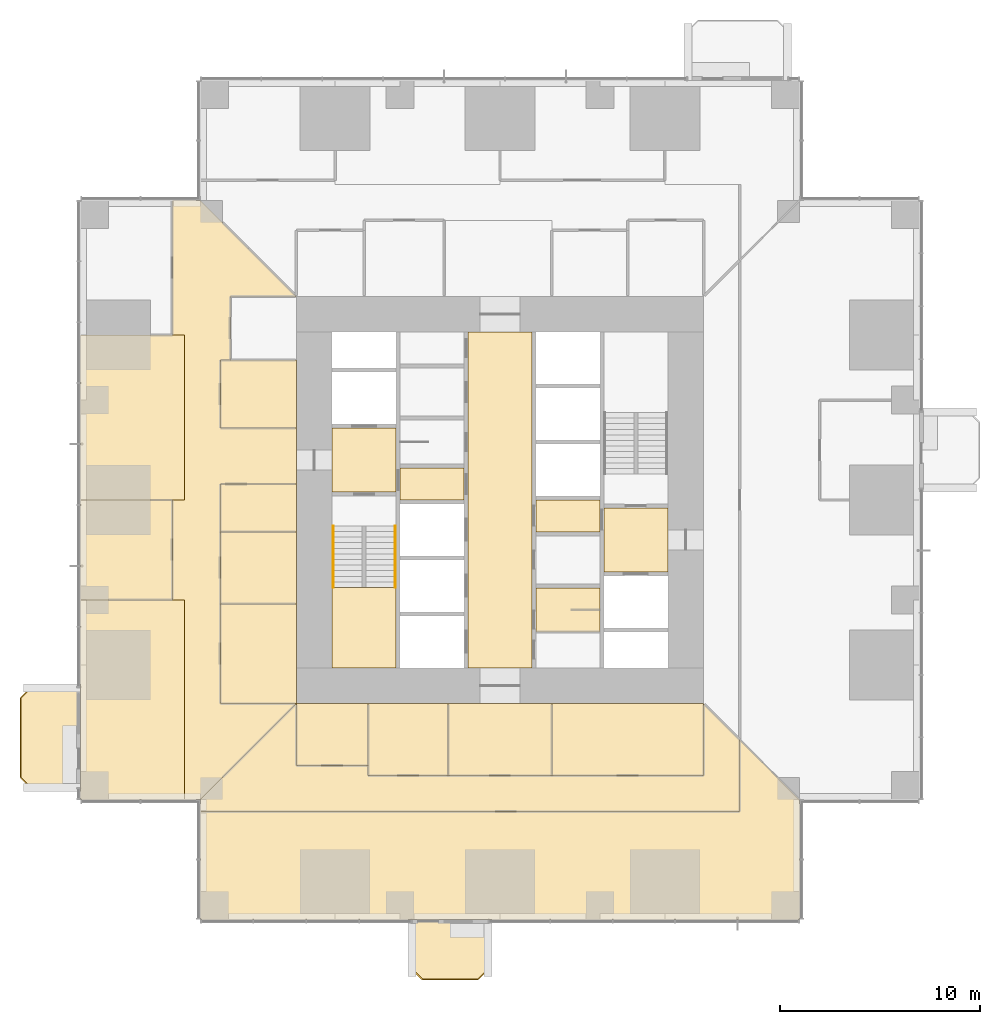
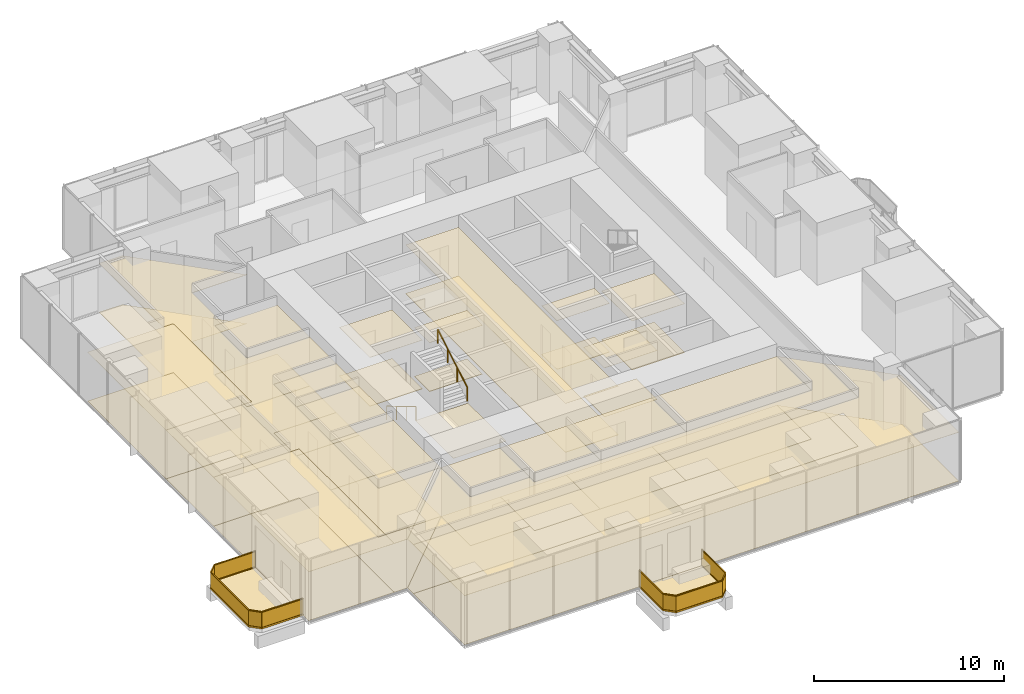
# One storey, part 15 of 17: 43 coverings, 4 railings.
"""IFC4 building model written with IfcOpenShell, lengths in metres."""

from ifc_helpers import new_model, si_unit, direction, frame, origin, origin_2d, place, context, subcontext, project, spatial, polyline, rectangle, circle, outline, extrude, material, layer, layer_set, type_object, element, save


model = new_model("IFC4")

# Units and contexts
model_context = context("Model", 3, precision=1e-05, world=origin(), true_north=direction((0.0, 1.0)))
body_context = subcontext(model_context, "Body", "Model", "MODEL_VIEW")
ifc_project = project(units=[si_unit("LENGTHUNIT", "METRE"), si_unit("AREAUNIT", "SQUARE_METRE"), si_unit("VOLUMEUNIT", "CUBIC_METRE"), si_unit("PLANEANGLEUNIT", "RADIAN"), si_unit("MASSUNIT", "GRAM", prefix="KILO")], contexts=[model_context])

# Site, building, storey
site_placement = place(None, origin())
site = spatial("IfcSite", under=ifc_project, at=site_placement, CompositionType="ELEMENT")
building_placement = place(site_placement, origin())
building = spatial("IfcBuilding", under=site, at=building_placement, Name="Svetlomir Tower", CompositionType="ELEMENT")
storey_placement = place(building_placement, frame((0.0, 0.0, 38.5)))
storey = spatial("IfcBuildingStorey", under=building, at=storey_placement, Name="L08", CompositionType="ELEMENT", Elevation=38.5)

# Railings
ifc_material_1 = material(Name="Bronze anodised aluminium and laminated glass", Category="aluminium")
railing_type_1 = type_object("IfcRailingType", Name="BALCONY GUARD GR1 1100", PredefinedType="GUARDRAIL", material=ifc_material_1)
railing_1_placement = place(storey_placement, frame((16.60009765625, 0.0, 0.0)))
element("IfcRailing", 1, at=railing_1_placement, inside=storey, type_object=railing_type_1, Name="Balcony guard S L08", PredefinedType="GUARDRAIL", context=body_context, shape_type="SweptSolid", body=[
    extrude(rectangle(XDim=0.06005859375, YDim=0.10009765625, at=origin_2d()), frame((0.0, 0.0, 0.050048828125), z_axis=(0.0, -1.0, 0.0), x_axis=(1.0, 0.0, 0.0)), (0.0, 0.0, 1.0), 2.5),
    extrude(rectangle(XDim=0.021484375, YDim=0.960205078125, at=origin_2d()), frame((0.0, 0.0, 0.580078125), z_axis=(0.0, -1.0, 0.0), x_axis=(1.0, 0.0, 0.0)), (0.0, 0.0, 1.0), 2.5),
    extrude(rectangle(XDim=0.06005859375, YDim=0.0400390625, at=origin_2d()), frame((0.0, 0.0, 1.080078125), z_axis=(0.0, -1.0, 0.0), x_axis=(1.0, 0.0, 0.0)), (0.0, 0.0, 1.0), 2.5),
    extrude(rectangle(XDim=0.06005859375, YDim=0.10009765625, at=origin_2d()), frame((0.0, -2.5, 0.050048828125), z_axis=(0.707106781187, -0.707106781187, 0.0), x_axis=(0.707106781187, 0.707106781187, 0.0)), (0.0, 0.0, 1.0), 0.70703125),
    extrude(rectangle(XDim=0.021484375, YDim=0.960205078125, at=origin_2d()), frame((0.0, -2.5, 0.580078125), z_axis=(0.707106781187, -0.707106781187, 0.0), x_axis=(0.707106781187, 0.707106781187, 0.0)), (0.0, 0.0, 1.0), 0.70703125),
    extrude(rectangle(XDim=0.06005859375, YDim=0.0400390625, at=origin_2d()), frame((0.0, -2.5, 1.080078125), z_axis=(0.707106781187, -0.707106781187, 0.0), x_axis=(0.707106781187, 0.707106781187, 0.0)), (0.0, 0.0, 1.0), 0.70703125),
    extrude(rectangle(XDim=0.06005859375, YDim=0.10009765625, at=origin_2d()), frame((0.5, -3.0, 0.050048828125), z_axis=(1.0, 0.0, 0.0), x_axis=(0.0, 1.0, 0.0)), (0.0, 0.0, 1.0), 2.7998046875),
    extrude(rectangle(XDim=0.021484375, YDim=0.960205078125, at=origin_2d()), frame((0.5, -3.0, 0.580078125), z_axis=(1.0, 0.0, 0.0), x_axis=(0.0, 1.0, 0.0)), (0.0, 0.0, 1.0), 2.7998046875),
    extrude(rectangle(XDim=0.06005859375, YDim=0.0400390625, at=origin_2d()), frame((0.5, -3.0, 1.080078125), z_axis=(1.0, 0.0, 0.0), x_axis=(0.0, 1.0, 0.0)), (0.0, 0.0, 1.0), 2.7998046875),
    extrude(rectangle(XDim=0.06005859375, YDim=0.10009765625, at=origin_2d()), frame((3.2998046875, -3.0, 0.050048828125), z_axis=(0.707106781187, 0.707106781187, 0.0), x_axis=(-0.707106781187, 0.707106781187, 0.0)), (0.0, 0.0, 1.0), 0.70703125),
    extrude(rectangle(XDim=0.021484375, YDim=0.960205078125, at=origin_2d()), frame((3.2998046875, -3.0, 0.580078125), z_axis=(0.707106781187, 0.707106781187, 0.0), x_axis=(-0.707106781187, 0.707106781187, 0.0)), (0.0, 0.0, 1.0), 0.70703125),
    extrude(rectangle(XDim=0.06005859375, YDim=0.0400390625, at=origin_2d()), frame((3.2998046875, -3.0, 1.080078125), z_axis=(0.707106781187, 0.707106781187, 0.0), x_axis=(-0.707106781187, 0.707106781187, 0.0)), (0.0, 0.0, 1.0), 0.70703125),
    extrude(rectangle(XDim=0.06005859375, YDim=0.10009765625, at=origin_2d()), frame((3.7998046875, -2.5, 0.050048828125), z_axis=(0.0, 1.0, 0.0), x_axis=(-1.0, 0.0, 0.0)), (0.0, 0.0, 1.0), 2.5),
    extrude(rectangle(XDim=0.021484375, YDim=0.960205078125, at=origin_2d()), frame((3.7998046875, -2.5, 0.580078125), z_axis=(0.0, 1.0, 0.0), x_axis=(-1.0, 0.0, 0.0)), (0.0, 0.0, 1.0), 2.5),
    extrude(rectangle(XDim=0.06005859375, YDim=0.0400390625, at=origin_2d()), frame((3.7998046875, -2.5, 1.080078125), z_axis=(0.0, 1.0, 0.0), x_axis=(-1.0, 0.0, 0.0)), (0.0, 0.0, 1.0), 2.5),
])
railing_2_placement = place(storey_placement, frame((0.0, 11.60009765625, 0.0)))
element("IfcRailing", 2, at=railing_2_placement, inside=storey, type_object=railing_type_1, Name="Balcony guard W L08", PredefinedType="GUARDRAIL", context=body_context, shape_type="SweptSolid", body=[
    extrude(rectangle(XDim=0.06005859375, YDim=0.10009765625, at=origin_2d()), frame((0.0, 0.0, 0.050048828125), z_axis=(-1.0, 0.0, 0.0), x_axis=(0.0, -1.0, 0.0)), (0.0, 0.0, 1.0), 2.5),
    extrude(rectangle(XDim=0.021484375, YDim=0.960205078125, at=origin_2d()), frame((0.0, 0.0, 0.580078125), z_axis=(-1.0, 0.0, 0.0), x_axis=(0.0, -1.0, 0.0)), (0.0, 0.0, 1.0), 2.5),
    extrude(rectangle(XDim=0.06005859375, YDim=0.0400390625, at=origin_2d()), frame((0.0, 0.0, 1.080078125), z_axis=(-1.0, 0.0, 0.0), x_axis=(0.0, -1.0, 0.0)), (0.0, 0.0, 1.0), 2.5),
    extrude(rectangle(XDim=0.06005859375, YDim=0.10009765625, at=origin_2d()), frame((-2.5, 0.0, 0.050048828125), z_axis=(-0.707106781187, -0.707106781187, 0.0), x_axis=(0.707106781187, -0.707106781187, 0.0)), (0.0, 0.0, 1.0), 0.70703125),
    extrude(rectangle(XDim=0.021484375, YDim=0.960205078125, at=origin_2d()), frame((-2.5, 0.0, 0.580078125), z_axis=(-0.707106781187, -0.707106781187, 0.0), x_axis=(0.707106781187, -0.707106781187, 0.0)), (0.0, 0.0, 1.0), 0.70703125),
    extrude(rectangle(XDim=0.06005859375, YDim=0.0400390625, at=origin_2d()), frame((-2.5, 0.0, 1.080078125), z_axis=(-0.707106781187, -0.707106781187, 0.0), x_axis=(0.707106781187, -0.707106781187, 0.0)), (0.0, 0.0, 1.0), 0.70703125),
    extrude(rectangle(XDim=0.06005859375, YDim=0.10009765625, at=origin_2d()), frame((-3.0, -0.5, 0.050048828125), z_axis=(0.0, -1.0, 0.0), x_axis=(1.0, 0.0, 0.0)), (0.0, 0.0, 1.0), 4.0),
    extrude(rectangle(XDim=0.021484375, YDim=0.960205078125, at=origin_2d()), frame((-3.0, -0.5, 0.580078125), z_axis=(0.0, -1.0, 0.0), x_axis=(1.0, 0.0, 0.0)), (0.0, 0.0, 1.0), 4.0),
    extrude(rectangle(XDim=0.06005859375, YDim=0.0400390625, at=origin_2d()), frame((-3.0, -0.5, 1.080078125), z_axis=(0.0, -1.0, 0.0), x_axis=(1.0, 0.0, 0.0)), (0.0, 0.0, 1.0), 4.0),
    extrude(rectangle(XDim=0.06005859375, YDim=0.10009765625, at=origin_2d()), frame((-3.0, -4.5, 0.050048828125), z_axis=(0.707106781187, -0.707106781187, 0.0), x_axis=(0.707106781187, 0.707106781187, 0.0)), (0.0, 0.0, 1.0), 0.70703125),
    extrude(rectangle(XDim=0.021484375, YDim=0.960205078125, at=origin_2d()), frame((-3.0, -4.5, 0.580078125), z_axis=(0.707106781187, -0.707106781187, 0.0), x_axis=(0.707106781187, 0.707106781187, 0.0)), (0.0, 0.0, 1.0), 0.70703125),
    extrude(rectangle(XDim=0.06005859375, YDim=0.0400390625, at=origin_2d()), frame((-3.0, -4.5, 1.080078125), z_axis=(0.707106781187, -0.707106781187, 0.0), x_axis=(0.707106781187, 0.707106781187, 0.0)), (0.0, 0.0, 1.0), 0.70703125),
    extrude(rectangle(XDim=0.06005859375, YDim=0.10009765625, at=origin_2d()), frame((-2.5, -5.0, 0.050048828125), z_axis=(1.0, 0.0, 0.0), x_axis=(0.0, 1.0, 0.0)), (0.0, 0.0, 1.0), 2.5),
    extrude(rectangle(XDim=0.021484375, YDim=0.960205078125, at=origin_2d()), frame((-2.5, -5.0, 0.580078125), z_axis=(1.0, 0.0, 0.0), x_axis=(0.0, 1.0, 0.0)), (0.0, 0.0, 1.0), 2.5),
    extrude(rectangle(XDim=0.06005859375, YDim=0.0400390625, at=origin_2d()), frame((-2.5, -5.0, 1.080078125), z_axis=(1.0, 0.0, 0.0), x_axis=(0.0, 1.0, 0.0)), (0.0, 0.0, 1.0), 2.5),
])

# Coverings
ifc_material_2 = material(Name="Granite paving slabs on pedestals", Category="masonry")
ifc_layer_1 = layer(ifc_material_2, 0.0400390625)
ifc_layer_set_1 = layer_set([ifc_layer_1], Name="Granite paving slabs on pedestals")
covering_type_1 = type_object("IfcCoveringType", Name="BALCONY PAVING 40", PredefinedType="USERDEFINED", material=ifc_layer_set_1)
covering_1_placement = place(storey_placement, origin())
element("IfcCovering", 3, at=covering_1_placement, inside=storey, type_object=covering_type_1, Name="Balcony paving S L08", ObjectType="BALCONY PAVING", PredefinedType="USERDEFINED", context=body_context, shape_type="SweptSolid", body=[
    extrude(outline(polyline([(16.60009765625, -2.5), (17.10009765625, -3.0), (19.89990234375, -3.0), (20.39990234375, -2.5), (20.39990234375, 0.0), (16.60009765625, 0.0), (16.60009765625, -2.5)])), origin(), (0.0, 0.0, 1.0), 0.0400390625),
])
covering_2_placement = place(storey_placement, origin())
element("IfcCovering", 4, at=covering_2_placement, inside=storey, type_object=covering_type_1, Name="Balcony paving W L08", ObjectType="BALCONY PAVING", PredefinedType="USERDEFINED", context=body_context, shape_type="SweptSolid", body=[
    extrude(outline(polyline([(-2.5, 6.60009765625), (0.0, 6.60009765625), (0.0, 11.60009765625), (-2.5, 11.60009765625), (-3.0, 11.10009765625), (-3.0, 7.10009765625), (-2.5, 6.60009765625)])), origin(), (0.0, 0.0, 1.0), 0.0400390625),
])
ifc_material_3 = material(Name="Carpet tile", Category="textile")
ifc_layer_2 = layer(ifc_material_3, 0.010009765625)
ifc_layer_set_2 = layer_set([ifc_layer_2], Name="Carpet tile")
covering_type_2 = type_object("IfcCoveringType", Name="CARPET TILE FLOOR 10", PredefinedType="FLOORING", material=ifc_layer_set_2)
covering_3_placement = place(storey_placement, origin())
element("IfcCovering", 5, at=covering_3_placement, inside=storey, type_object=covering_type_2, Name="Floor finish L08-14", PredefinedType="FLOORING", context=body_context, shape_type="SweptSolid", body=[
    extrude(outline(polyline([(10.800048828125, 7.699951171875), (14.39990234375, 7.699951171875), (14.39990234375, 10.800048828125), (10.800048828125, 10.800048828125), (10.800048828125, 7.699951171875)])), origin(), (0.0, 0.0, 1.0), 0.010009765625),
])
covering_4_placement = place(storey_placement, origin())
element("IfcCovering", 6, at=covering_4_placement, inside=storey, type_object=covering_type_2, Name="Floor finish L08-15", PredefinedType="FLOORING", context=body_context, shape_type="SweptSolid", body=[
    extrude(outline(polyline([(14.39990234375, 7.199951171875), (18.39990234375, 7.199951171875), (18.39990234375, 10.800048828125), (14.39990234375, 10.800048828125), (14.39990234375, 7.199951171875)])), origin(), (0.0, 0.0, 1.0), 0.010009765625),
])
covering_5_placement = place(storey_placement, origin())
element("IfcCovering", 7, at=covering_5_placement, inside=storey, type_object=covering_type_2, Name="Floor finish L08-16", PredefinedType="FLOORING", context=body_context, shape_type="SweptSolid", body=[
    extrude(outline(polyline([(23.60009765625, 7.199951171875), (31.199951171875, 7.199951171875), (31.199951171875, 10.800048828125), (23.60009765625, 10.800048828125), (23.60009765625, 7.199951171875)])), origin(), (0.0, 0.0, 1.0), 0.010009765625),
])
covering_6_placement = place(storey_placement, origin())
element("IfcCovering", 8, at=covering_6_placement, inside=storey, type_object=covering_type_2, Name="Floor finish L08-24", PredefinedType="FLOORING", context=body_context, shape_type="SweptSolid", body=[
    extrude(outline(polyline([(7.0, 10.800048828125), (10.800048828125, 10.800048828125), (10.800048828125, 15.800048828125), (7.0, 15.800048828125), (7.0, 10.800048828125)])), origin(), (0.0, 0.0, 1.0), 0.010009765625),
])
covering_7_placement = place(storey_placement, origin())
element("IfcCovering", 9, at=covering_7_placement, inside=storey, type_object=covering_type_2, Name="Floor finish L08-25", PredefinedType="FLOORING", context=body_context, shape_type="SweptSolid", body=[
    extrude(outline(polyline([(7.0, 15.800048828125), (10.800048828125, 15.800048828125), (10.800048828125, 19.39990234375), (7.0, 19.39990234375), (7.0, 15.800048828125)])), origin(), (0.0, 0.0, 1.0), 0.010009765625),
])
covering_8_placement = place(storey_placement, origin())
element("IfcCovering", 10, at=covering_8_placement, inside=storey, type_object=covering_type_2, Name="Floor finish L08-26", PredefinedType="FLOORING", context=body_context, shape_type="SweptSolid", body=[
    extrude(outline(polyline([(7.0, 24.60009765625), (10.800048828125, 24.60009765625), (10.800048828125, 28.0), (7.0, 28.0), (7.0, 24.60009765625)])), origin(), (0.0, 0.0, 1.0), 0.010009765625),
])
covering_9_placement = place(storey_placement, origin())
element("IfcCovering", 11, at=covering_9_placement, inside=storey, type_object=covering_type_2, Name="Floor finish L08-28", PredefinedType="FLOORING", context=body_context, shape_type="SweptSolid", body=[
    extrude(outline(polyline([(0.0, 16.0), (4.60009765625, 16.0), (4.60009765625, 21.0), (0.0, 21.0), (0.0, 16.0)])), origin(), (0.0, 0.0, 1.0), 0.010009765625),
])
covering_10_placement = place(storey_placement, origin())
element("IfcCovering", 12, at=covering_10_placement, inside=storey, type_object=covering_type_2, Name="Floor finish L08-30", PredefinedType="FLOORING", context=body_context, shape_type="SweptSolid", body=[
    extrude(outline(polyline([(33.0, 5.39990234375), (6.0, 5.39990234375), (6.0, 6.0), (10.800048828125, 10.800048828125), (10.800048828125, 7.699951171875), (14.39990234375, 7.699951171875), (14.39990234375, 7.199951171875), (31.199951171875, 7.199951171875), (31.199951171875, 10.800048828125), (33.0, 9.0), (33.0, 5.39990234375)])), origin(), (0.0, 0.0, 1.0), 0.010009765625),
])
covering_11_placement = place(storey_placement, origin())
element("IfcCovering", 13, at=covering_11_placement, inside=storey, type_object=covering_type_2, Name="Floor finish L08-33", PredefinedType="FLOORING", context=body_context, shape_type="SweptSolid", body=[
    extrude(outline(polyline([(5.199951171875, 21.0), (5.199951171875, 29.25), (4.60009765625, 29.25), (4.60009765625, 36.0), (6.0, 36.0), (10.800048828125, 31.199951171875), (7.5, 31.199951171875), (7.5, 28.0), (7.0, 28.0), (7.0, 24.60009765625), (10.800048828125, 24.60009765625), (10.800048828125, 21.800048828125), (7.0, 21.800048828125), (7.0, 10.800048828125), (10.800048828125, 10.800048828125), (6.0, 6.0), (5.199951171875, 6.0), (5.199951171875, 16.0), (4.60009765625, 16.0), (4.60009765625, 21.0), (5.199951171875, 21.0)])), origin(), (0.0, 0.0, 1.0), 0.010009765625),
])
covering_12_placement = place(storey_placement, origin())
element("IfcCovering", 14, at=covering_12_placement, inside=storey, type_object=covering_type_2, Name="Floor finish L08-34", PredefinedType="FLOORING", context=body_context, shape_type="SweptSolid", body=[
    extrude(outline(polyline([(36.0, 0.0), (6.0, 0.0), (6.0, 5.39990234375), (33.0, 5.39990234375), (33.0, 9.0), (36.0, 6.0), (36.0, 0.0)])), origin(), (0.0, 0.0, 1.0), 0.010009765625),
])
covering_13_placement = place(storey_placement, origin())
element("IfcCovering", 15, at=covering_13_placement, inside=storey, type_object=covering_type_2, Name="Floor finish L08-35", PredefinedType="FLOORING", context=body_context, shape_type="SweptSolid", body=[
    extrude(outline(polyline([(23.60009765625, 10.800048828125), (23.60009765625, 7.199951171875), (18.39990234375, 7.199951171875), (18.39990234375, 10.800048828125), (23.60009765625, 10.800048828125)])), origin(), (0.0, 0.0, 1.0), 0.010009765625),
])
covering_14_placement = place(storey_placement, origin())
element("IfcCovering", 16, at=covering_14_placement, inside=storey, type_object=covering_type_2, Name="Floor finish L08-40", PredefinedType="FLOORING", context=body_context, shape_type="SweptSolid", body=[
    extrude(outline(polyline([(0.0, 16.0), (5.199951171875, 16.0), (5.199951171875, 6.0), (0.0, 6.0), (0.0, 16.0)])), origin(), (0.0, 0.0, 1.0), 0.010009765625),
])
covering_15_placement = place(storey_placement, origin())
element("IfcCovering", 17, at=covering_15_placement, inside=storey, type_object=covering_type_2, Name="Floor finish L08-41", PredefinedType="FLOORING", context=body_context, shape_type="SweptSolid", body=[
    extrude(outline(polyline([(0.0, 29.25), (5.199951171875, 29.25), (5.199951171875, 21.0), (0.0, 21.0), (0.0, 29.25)])), origin(), (0.0, 0.0, 1.0), 0.010009765625),
])
covering_16_placement = place(storey_placement, origin())
element("IfcCovering", 18, at=covering_16_placement, inside=storey, type_object=covering_type_2, Name="Floor finish L08-42", PredefinedType="FLOORING", context=body_context, shape_type="SweptSolid", body=[
    extrude(outline(polyline([(7.0, 19.39990234375), (7.0, 21.800048828125), (10.800048828125, 21.800048828125), (10.800048828125, 19.39990234375), (7.0, 19.39990234375)])), origin(), (0.0, 0.0, 1.0), 0.010009765625),
])
ifc_material_4 = material(Name="Ceramic floor tile", Category="ceramic")
ifc_layer_3 = layer(ifc_material_4, 0.014892578125)
ifc_layer_set_3 = layer_set([ifc_layer_3], Name="Ceramic floor tile")
covering_type_3 = type_object("IfcCoveringType", Name="CERAMIC TILE FLOOR 15", PredefinedType="FLOORING", material=ifc_layer_set_3)
covering_17_placement = place(storey_placement, origin())
element("IfcCovering", 19, at=covering_17_placement, inside=storey, type_object=covering_type_3, Name="Floor finish L08-09", PredefinedType="FLOORING", context=body_context, shape_type="SweptSolid", body=[
    extrude(outline(polyline([(22.800048828125, 14.39990234375), (26.0, 14.39990234375), (26.0, 16.60009765625), (22.800048828125, 16.60009765625), (22.800048828125, 14.39990234375)])), origin(), (0.0, 0.0, 1.0), 0.014892578125),
])

# Railings
ifc_material_5 = material(Name="Stainless steel", Category="steel")
railing_type_2 = type_object("IfcRailingType", Name="HANDRAIL HR1 900", PredefinedType="HANDRAIL", material=ifc_material_5)
railing_3_placement = place(storey_placement, frame((12.64990234375, 19.699951171875, 0.166748046875)))
element("IfcRailing", 20, at=railing_3_placement, inside=storey, type_object=railing_type_2, Name="Handrail S1 flight 1 L08", PredefinedType="HANDRAIL", context=body_context, shape_type="SweptSolid", body=[
    extrude(circle(Radius=0.02392578125, at=origin_2d()), frame((0.0, 0.0, 0.8759765625), z_axis=(0.0, -0.859290745958, 0.51148745235), x_axis=(1.0, 0.0, 0.0)), (0.0, 0.0, 1.0), 3.584228515625),
    extrude(circle(Radius=0.02099609375, at=origin_2d()), origin(), (0.0, 0.0, 1.0), 0.851806640625),
    extrude(circle(Radius=0.02099609375, at=origin_2d()), frame((0.0, -1.026611328125, 0.611083984375)), (0.0, 0.0, 1.0), 0.851806640625),
    extrude(circle(Radius=0.02099609375, at=origin_2d()), frame((0.0, -2.05322265625, 1.22216796875)), (0.0, 0.0, 1.0), 0.851806640625),
    extrude(circle(Radius=0.02099609375, at=origin_2d()), frame((0.0, -3.079833984375, 1.833251953125)), (0.0, 0.0, 1.0), 0.851806640625),
])
railing_4_placement = place(storey_placement, frame((15.75, 16.6201171875, 2.166748046875)))
element("IfcRailing", 21, at=railing_4_placement, inside=storey, type_object=railing_type_2, Name="Handrail S1 flight 2 L08", PredefinedType="HANDRAIL", context=body_context, shape_type="SweptSolid", body=[
    extrude(circle(Radius=0.02392578125, at=origin_2d()), frame((0.0, 0.0, 0.8759765625), z_axis=(0.0, 0.859290745958, 0.51148745235), x_axis=(-1.0, 0.0, 0.0)), (0.0, 0.0, 1.0), 3.584228515625),
    extrude(circle(Radius=0.02099609375, at=origin_2d()), origin(), (0.0, 0.0, 1.0), 0.851806640625),
    extrude(circle(Radius=0.02099609375, at=origin_2d()), frame((0.0, 1.026611328125, 0.611083984375)), (0.0, 0.0, 1.0), 0.851806640625),
    extrude(circle(Radius=0.02099609375, at=origin_2d()), frame((0.0, 2.05322265625, 1.22216796875)), (0.0, 0.0, 1.0), 0.851806640625),
    extrude(circle(Radius=0.02099609375, at=origin_2d()), frame((0.0, 3.079833984375, 1.833251953125)), (0.0, 0.0, 1.0), 0.851806640625),
])

# Coverings
ifc_material_6 = material(Name="Moisture resistant plasterboard ceiling", Category="gypsum")
ifc_layer_4 = layer(ifc_material_6, 0.012451171875)
ifc_layer_set_4 = layer_set([ifc_layer_4], Name="Moisture resistant plasterboard ceiling")
covering_type_4 = type_object("IfcCoveringType", Name="MOISTURE RESISTANT CEILING 12.5", PredefinedType="CEILING", material=ifc_layer_set_4)
covering_18_placement = place(storey_placement, frame((0.0, 0.0, 3.137451171875)))
element("IfcCovering", 22, at=covering_18_placement, inside=storey, type_object=covering_type_4, Name="Ceiling L08-09", PredefinedType="CEILING", context=body_context, shape_type="SweptSolid", body=[
    extrude(outline(polyline([(22.800048828125, 14.39990234375), (26.0, 14.39990234375), (26.0, 16.60009765625), (22.800048828125, 16.60009765625), (22.800048828125, 14.39990234375)])), origin(), (0.0, 0.0, 1.0), 0.012451171875),
])
ifc_material_7 = material(Name="Gypsum plasterboard ceiling", Category="gypsum")
ifc_layer_5 = layer(ifc_material_7, 0.014892578125)
ifc_layer_set_5 = layer_set([ifc_layer_5], Name="Gypsum plasterboard ceiling")
covering_type_5 = type_object("IfcCoveringType", Name="PLASTERBOARD CEILING 15", PredefinedType="CEILING", material=ifc_layer_set_5)
covering_19_placement = place(storey_placement, frame((0.0, 0.0, 3.135009765625)))
element("IfcCovering", 23, at=covering_19_placement, inside=storey, type_object=covering_type_5, Name="Ceiling L08-02", PredefinedType="CEILING", context=body_context, shape_type="SweptSolid", body=[
    extrude(outline(polyline([(12.60009765625, 21.39990234375), (15.800048828125, 21.39990234375), (15.800048828125, 24.60009765625), (12.60009765625, 24.60009765625), (12.60009765625, 21.39990234375)])), origin(), (0.0, 0.0, 1.0), 0.014892578125),
])
covering_20_placement = place(storey_placement, frame((0.0, 0.0, 3.135009765625)))
element("IfcCovering", 24, at=covering_20_placement, inside=storey, type_object=covering_type_5, Name="Ceiling L08-03", PredefinedType="CEILING", context=body_context, shape_type="SweptSolid", body=[
    extrude(outline(polyline([(16.0, 21.0), (19.199951171875, 21.0), (19.199951171875, 22.60009765625), (16.0, 22.60009765625), (16.0, 21.0)])), origin(), (0.0, 0.0, 1.0), 0.014892578125),
])
covering_21_placement = place(storey_placement, frame((0.0, 0.0, 3.135009765625)))
element("IfcCovering", 25, at=covering_21_placement, inside=storey, type_object=covering_type_5, Name="Ceiling L08-07", PredefinedType="CEILING", context=body_context, shape_type="SweptSolid", body=[
    extrude(outline(polyline([(19.39990234375, 12.60009765625), (22.60009765625, 12.60009765625), (22.60009765625, 29.39990234375), (19.39990234375, 29.39990234375), (19.39990234375, 12.60009765625)])), origin(), (0.0, 0.0, 1.0), 0.014892578125),
])
covering_22_placement = place(storey_placement, frame((0.0, 0.0, 3.135009765625)))
element("IfcCovering", 26, at=covering_22_placement, inside=storey, type_object=covering_type_5, Name="Ceiling L08-11", PredefinedType="CEILING", context=body_context, shape_type="SweptSolid", body=[
    extrude(outline(polyline([(22.800048828125, 19.39990234375), (26.0, 19.39990234375), (26.0, 21.0), (22.800048828125, 21.0), (22.800048828125, 19.39990234375)])), origin(), (0.0, 0.0, 1.0), 0.014892578125),
])
covering_23_placement = place(storey_placement, frame((0.0, 0.0, 3.135009765625)))
element("IfcCovering", 27, at=covering_23_placement, inside=storey, type_object=covering_type_5, Name="Ceiling L08-12", PredefinedType="CEILING", context=body_context, shape_type="SweptSolid", body=[
    extrude(outline(polyline([(26.199951171875, 17.39990234375), (29.39990234375, 17.39990234375), (29.39990234375, 20.60009765625), (26.199951171875, 20.60009765625), (26.199951171875, 17.39990234375)])), origin(), (0.0, 0.0, 1.0), 0.014892578125),
])
ifc_material_8 = material(Name="Studded rubber floor finish", Category="rubber")
ifc_layer_6 = layer(ifc_material_8, 0.006103515625)
ifc_layer_set_6 = layer_set([ifc_layer_6], Name="Studded rubber floor finish")
covering_type_6 = type_object("IfcCoveringType", Name="RUBBER LANDING FINISH 6", PredefinedType="FLOORING", material=ifc_layer_set_6)
covering_24_placement = place(storey_placement, frame((0.0, 0.0, 2.0)))
element("IfcCovering", 28, at=covering_24_placement, inside=storey, type_object=covering_type_6, Name="Stair S1 landing finish L08", PredefinedType="FLOORING", context=body_context, shape_type="SweptSolid", body=[
    extrude(outline(polyline([(12.60009765625, 12.60009765625), (15.800048828125, 12.60009765625), (15.800048828125, 16.6201171875), (12.60009765625, 16.6201171875), (12.60009765625, 12.60009765625)])), origin(), (0.0, 0.0, 1.0), 0.006103515625),
])
ifc_material_9 = material(Name="Mineral fibre ceiling tile", Category="mineral")
ifc_layer_7 = layer(ifc_material_9, 0.02001953125)
ifc_layer_set_7 = layer_set([ifc_layer_7], Name="Mineral fibre ceiling tile")
covering_type_7 = type_object("IfcCoveringType", Name="SUSPENDED CEILING 20", PredefinedType="CEILING", material=ifc_layer_set_7)
covering_25_placement = place(storey_placement, frame((0.0, 0.0, 3.1298828125)))
element("IfcCovering", 29, at=covering_25_placement, inside=storey, type_object=covering_type_7, Name="Ceiling L08-14", PredefinedType="CEILING", context=body_context, shape_type="SweptSolid", body=[
    extrude(outline(polyline([(10.800048828125, 7.699951171875), (14.39990234375, 7.699951171875), (14.39990234375, 10.800048828125), (10.800048828125, 10.800048828125), (10.800048828125, 7.699951171875)])), origin(), (0.0, 0.0, 1.0), 0.02001953125),
])
covering_26_placement = place(storey_placement, frame((0.0, 0.0, 3.1298828125)))
element("IfcCovering", 30, at=covering_26_placement, inside=storey, type_object=covering_type_7, Name="Ceiling L08-15", PredefinedType="CEILING", context=body_context, shape_type="SweptSolid", body=[
    extrude(outline(polyline([(14.39990234375, 7.199951171875), (18.39990234375, 7.199951171875), (18.39990234375, 10.800048828125), (14.39990234375, 10.800048828125), (14.39990234375, 7.199951171875)])), origin(), (0.0, 0.0, 1.0), 0.02001953125),
])
covering_27_placement = place(storey_placement, frame((0.0, 0.0, 3.1298828125)))
element("IfcCovering", 31, at=covering_27_placement, inside=storey, type_object=covering_type_7, Name="Ceiling L08-16", PredefinedType="CEILING", context=body_context, shape_type="SweptSolid", body=[
    extrude(outline(polyline([(23.60009765625, 7.199951171875), (31.199951171875, 7.199951171875), (31.199951171875, 10.800048828125), (23.60009765625, 10.800048828125), (23.60009765625, 7.199951171875)])), origin(), (0.0, 0.0, 1.0), 0.02001953125),
])
covering_28_placement = place(storey_placement, frame((0.0, 0.0, 3.1298828125)))
element("IfcCovering", 32, at=covering_28_placement, inside=storey, type_object=covering_type_7, Name="Ceiling L08-24", PredefinedType="CEILING", context=body_context, shape_type="SweptSolid", body=[
    extrude(outline(polyline([(7.0, 10.800048828125), (10.800048828125, 10.800048828125), (10.800048828125, 15.800048828125), (7.0, 15.800048828125), (7.0, 10.800048828125)])), origin(), (0.0, 0.0, 1.0), 0.02001953125),
])
covering_29_placement = place(storey_placement, frame((0.0, 0.0, 3.1298828125)))
element("IfcCovering", 33, at=covering_29_placement, inside=storey, type_object=covering_type_7, Name="Ceiling L08-25", PredefinedType="CEILING", context=body_context, shape_type="SweptSolid", body=[
    extrude(outline(polyline([(7.0, 15.800048828125), (10.800048828125, 15.800048828125), (10.800048828125, 19.39990234375), (7.0, 19.39990234375), (7.0, 15.800048828125)])), origin(), (0.0, 0.0, 1.0), 0.02001953125),
])
covering_30_placement = place(storey_placement, frame((0.0, 0.0, 3.1298828125)))
element("IfcCovering", 34, at=covering_30_placement, inside=storey, type_object=covering_type_7, Name="Ceiling L08-26", PredefinedType="CEILING", context=body_context, shape_type="SweptSolid", body=[
    extrude(outline(polyline([(7.0, 24.60009765625), (10.800048828125, 24.60009765625), (10.800048828125, 28.0), (7.0, 28.0), (7.0, 24.60009765625)])), origin(), (0.0, 0.0, 1.0), 0.02001953125),
])
covering_31_placement = place(storey_placement, frame((0.0, 0.0, 3.1298828125)))
element("IfcCovering", 35, at=covering_31_placement, inside=storey, type_object=covering_type_7, Name="Ceiling L08-28", PredefinedType="CEILING", context=body_context, shape_type="SweptSolid", body=[
    extrude(outline(polyline([(0.0, 16.0), (4.60009765625, 16.0), (4.60009765625, 21.0), (0.0, 21.0), (0.0, 16.0)])), origin(), (0.0, 0.0, 1.0), 0.02001953125),
])
covering_32_placement = place(storey_placement, frame((0.0, 0.0, 3.1298828125)))
element("IfcCovering", 36, at=covering_32_placement, inside=storey, type_object=covering_type_7, Name="Ceiling L08-30", PredefinedType="CEILING", context=body_context, shape_type="SweptSolid", body=[
    extrude(outline(polyline([(33.0, 5.39990234375), (6.0, 5.39990234375), (6.0, 6.0), (10.800048828125, 10.800048828125), (10.800048828125, 7.699951171875), (14.39990234375, 7.699951171875), (14.39990234375, 7.199951171875), (31.199951171875, 7.199951171875), (31.199951171875, 10.800048828125), (33.0, 9.0), (33.0, 5.39990234375)])), origin(), (0.0, 0.0, 1.0), 0.02001953125),
])
covering_33_placement = place(storey_placement, frame((0.0, 0.0, 3.1298828125)))
element("IfcCovering", 37, at=covering_33_placement, inside=storey, type_object=covering_type_7, Name="Ceiling L08-33", PredefinedType="CEILING", context=body_context, shape_type="SweptSolid", body=[
    extrude(outline(polyline([(5.199951171875, 21.0), (5.199951171875, 29.25), (4.60009765625, 29.25), (4.60009765625, 36.0), (6.0, 36.0), (10.800048828125, 31.199951171875), (7.5, 31.199951171875), (7.5, 28.0), (7.0, 28.0), (7.0, 24.60009765625), (10.800048828125, 24.60009765625), (10.800048828125, 21.800048828125), (7.0, 21.800048828125), (7.0, 10.800048828125), (10.800048828125, 10.800048828125), (6.0, 6.0), (5.199951171875, 6.0), (5.199951171875, 16.0), (4.60009765625, 16.0), (4.60009765625, 21.0), (5.199951171875, 21.0)])), origin(), (0.0, 0.0, 1.0), 0.02001953125),
])
covering_34_placement = place(storey_placement, frame((0.0, 0.0, 3.1298828125)))
element("IfcCovering", 38, at=covering_34_placement, inside=storey, type_object=covering_type_7, Name="Ceiling L08-34", PredefinedType="CEILING", context=body_context, shape_type="SweptSolid", body=[
    extrude(outline(polyline([(36.0, 0.0), (6.0, 0.0), (6.0, 5.39990234375), (33.0, 5.39990234375), (33.0, 9.0), (36.0, 6.0), (36.0, 0.0)])), origin(), (0.0, 0.0, 1.0), 0.02001953125),
])
covering_35_placement = place(storey_placement, frame((0.0, 0.0, 3.1298828125)))
element("IfcCovering", 39, at=covering_35_placement, inside=storey, type_object=covering_type_7, Name="Ceiling L08-35", PredefinedType="CEILING", context=body_context, shape_type="SweptSolid", body=[
    extrude(outline(polyline([(23.60009765625, 10.800048828125), (23.60009765625, 7.199951171875), (18.39990234375, 7.199951171875), (18.39990234375, 10.800048828125), (23.60009765625, 10.800048828125)])), origin(), (0.0, 0.0, 1.0), 0.02001953125),
])
covering_36_placement = place(storey_placement, frame((0.0, 0.0, 3.1298828125)))
element("IfcCovering", 40, at=covering_36_placement, inside=storey, type_object=covering_type_7, Name="Ceiling L08-40", PredefinedType="CEILING", context=body_context, shape_type="SweptSolid", body=[
    extrude(outline(polyline([(0.0, 16.0), (5.199951171875, 16.0), (5.199951171875, 6.0), (0.0, 6.0), (0.0, 16.0)])), origin(), (0.0, 0.0, 1.0), 0.02001953125),
])
covering_37_placement = place(storey_placement, frame((0.0, 0.0, 3.1298828125)))
element("IfcCovering", 41, at=covering_37_placement, inside=storey, type_object=covering_type_7, Name="Ceiling L08-41", PredefinedType="CEILING", context=body_context, shape_type="SweptSolid", body=[
    extrude(outline(polyline([(0.0, 29.25), (5.199951171875, 29.25), (5.199951171875, 21.0), (0.0, 21.0), (0.0, 29.25)])), origin(), (0.0, 0.0, 1.0), 0.02001953125),
])
covering_38_placement = place(storey_placement, frame((0.0, 0.0, 3.1298828125)))
element("IfcCovering", 42, at=covering_38_placement, inside=storey, type_object=covering_type_7, Name="Ceiling L08-42", PredefinedType="CEILING", context=body_context, shape_type="SweptSolid", body=[
    extrude(outline(polyline([(7.0, 19.39990234375), (7.0, 21.800048828125), (10.800048828125, 21.800048828125), (10.800048828125, 19.39990234375), (7.0, 19.39990234375)])), origin(), (0.0, 0.0, 1.0), 0.02001953125),
])
ifc_material_10 = material(Name="Bronze-aggregate terrazzo", Category="stone")
ifc_layer_8 = layer(ifc_material_10, 0.030029296875)
ifc_layer_set_8 = layer_set([ifc_layer_8], Name="Bronze-aggregate terrazzo")
covering_type_8 = type_object("IfcCoveringType", Name="TERRAZZO FLOOR 30", PredefinedType="FLOORING", material=ifc_layer_set_8)
covering_39_placement = place(storey_placement, origin())
element("IfcCovering", 43, at=covering_39_placement, inside=storey, type_object=covering_type_8, Name="Floor finish L08-02", PredefinedType="FLOORING", context=body_context, shape_type="SweptSolid", body=[
    extrude(outline(polyline([(12.60009765625, 21.39990234375), (15.800048828125, 21.39990234375), (15.800048828125, 24.60009765625), (12.60009765625, 24.60009765625), (12.60009765625, 21.39990234375)])), origin(), (0.0, 0.0, 1.0), 0.030029296875),
])
covering_40_placement = place(storey_placement, origin())
element("IfcCovering", 44, at=covering_40_placement, inside=storey, type_object=covering_type_8, Name="Floor finish L08-03", PredefinedType="FLOORING", context=body_context, shape_type="SweptSolid", body=[
    extrude(outline(polyline([(16.0, 21.0), (19.199951171875, 21.0), (19.199951171875, 22.60009765625), (16.0, 22.60009765625), (16.0, 21.0)])), origin(), (0.0, 0.0, 1.0), 0.030029296875),
])
covering_41_placement = place(storey_placement, origin())
element("IfcCovering", 45, at=covering_41_placement, inside=storey, type_object=covering_type_8, Name="Floor finish L08-07", PredefinedType="FLOORING", context=body_context, shape_type="SweptSolid", body=[
    extrude(outline(polyline([(19.39990234375, 12.60009765625), (22.60009765625, 12.60009765625), (22.60009765625, 29.39990234375), (19.39990234375, 29.39990234375), (19.39990234375, 12.60009765625)])), origin(), (0.0, 0.0, 1.0), 0.030029296875),
])
covering_42_placement = place(storey_placement, origin())
element("IfcCovering", 46, at=covering_42_placement, inside=storey, type_object=covering_type_8, Name="Floor finish L08-11", PredefinedType="FLOORING", context=body_context, shape_type="SweptSolid", body=[
    extrude(outline(polyline([(22.800048828125, 19.39990234375), (26.0, 19.39990234375), (26.0, 21.0), (22.800048828125, 21.0), (22.800048828125, 19.39990234375)])), origin(), (0.0, 0.0, 1.0), 0.030029296875),
])
covering_43_placement = place(storey_placement, origin())
element("IfcCovering", 47, at=covering_43_placement, inside=storey, type_object=covering_type_8, Name="Floor finish L08-12", PredefinedType="FLOORING", context=body_context, shape_type="SweptSolid", body=[
    extrude(outline(polyline([(26.199951171875, 17.39990234375), (29.39990234375, 17.39990234375), (29.39990234375, 20.60009765625), (26.199951171875, 20.60009765625), (26.199951171875, 17.39990234375)])), origin(), (0.0, 0.0, 1.0), 0.030029296875),
])

save(model, "model.ifc")
